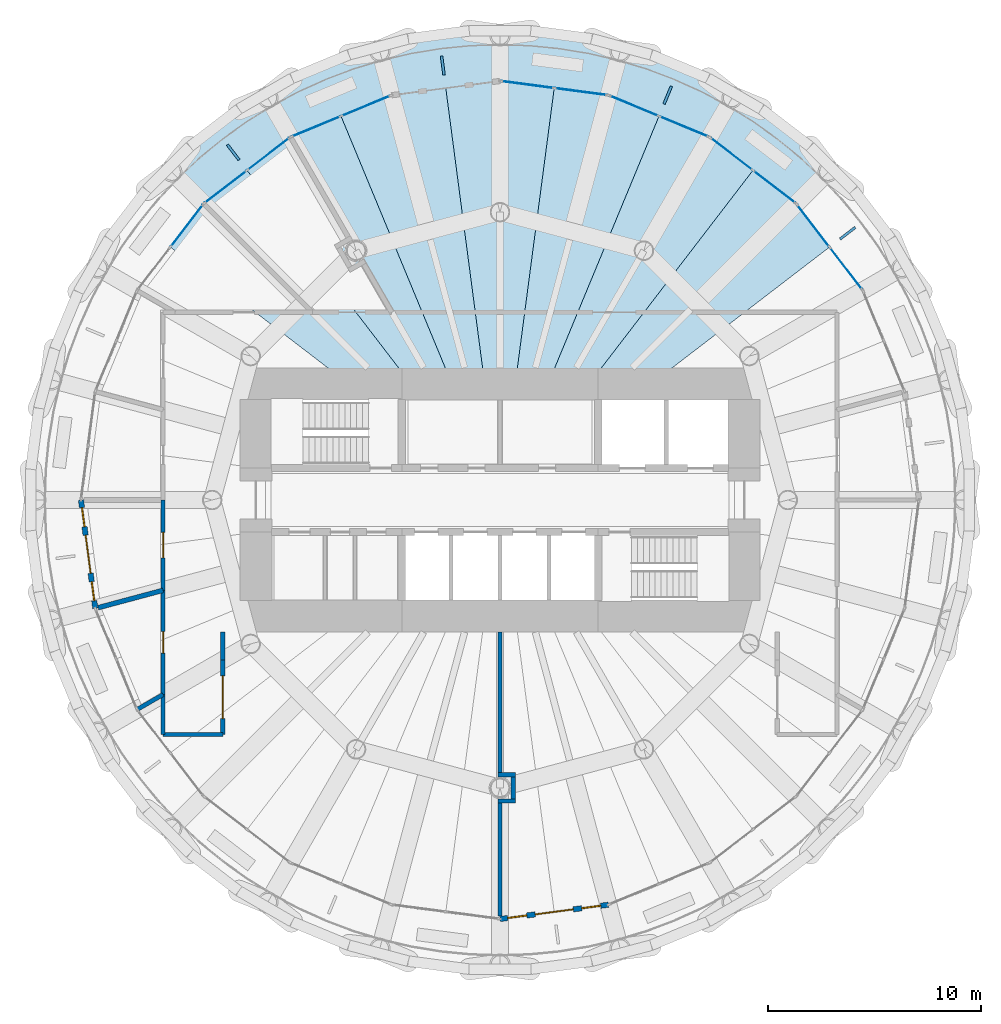
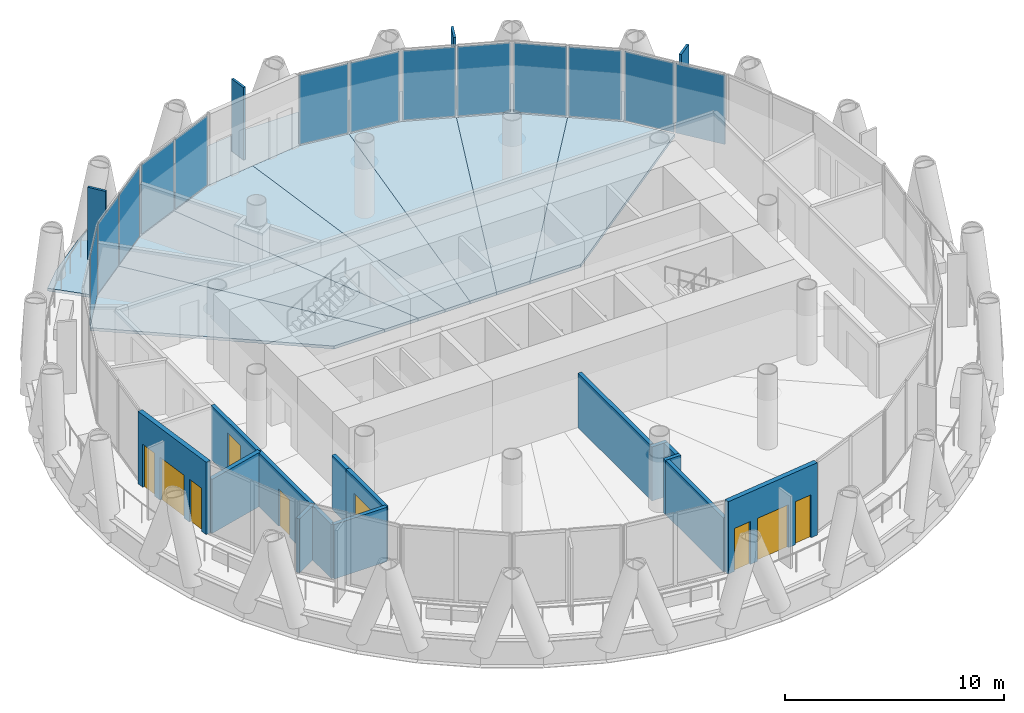
# One storey, part 8 of 15: 17 plates, 15 walls, 8 slabs, 5 doors, 4 windows, 9 openings, 7 elements without a shape of their own.
"""IFC4 building model written with IfcOpenShell, lengths in metres."""

from ifc_helpers import new_model, si_unit, direction, frame, frame_2d, origin, origin_2d, place, context, subcontext, project, spatial, polyline, rectangle, outline, extrude, material, layer, layer_set, type_object, element, fill, aggregate, save


model = new_model("IFC4")

# Units and contexts
model_context = context("Model", 3, precision=1e-05, world=origin(), true_north=direction((0.0, 1.0)))
body_context = subcontext(model_context, "Body", "Model", "MODEL_VIEW")
ifc_project = project(units=[si_unit("LENGTHUNIT", "METRE"), si_unit("AREAUNIT", "SQUARE_METRE"), si_unit("VOLUMEUNIT", "CUBIC_METRE"), si_unit("PLANEANGLEUNIT", "RADIAN"), si_unit("MASSUNIT", "GRAM", prefix="KILO")], contexts=[model_context])

# Site, building, storey
site_placement = place(None, origin())
site = spatial("IfcSite", under=ifc_project, at=site_placement, CompositionType="ELEMENT")
building_placement = place(site_placement, origin())
building = spatial("IfcBuilding", under=site, at=building_placement, Name="Qaws Media Tower", CompositionType="ELEMENT")
storey_placement = place(building_placement, frame((0.0, 0.0, 257.0)))
storey = spatial("IfcBuildingStorey", under=building, at=storey_placement, Name="L59", CompositionType="ELEMENT", Elevation=257.0)

# Slabs
ifc_material_1 = material(Name="Concrete C35/45", Category="concrete")
ifc_layer_1 = layer(ifc_material_1, 0.159912109375)
ifc_layer_set_1 = layer_set([ifc_layer_1], Name="Composite balcony slab 160")
slab_type_1 = type_object("IfcSlabType", Name="Composite balcony slab 160", PredefinedType="FLOOR", material=ifc_layer_set_1)
slab_1_placement = place(storey_placement, frame((0.0, 0.0, -0.159912109375)))
element("IfcSlab", 1, at=slab_1_placement, inside=storey, type_object=slab_type_1, Name="S2 balcony slab L59 R04 to R10, movement joints on R04 and R10", PredefinedType="FLOOR", context=body_context, shape_type="SweptSolid", body=[
    extrude(outline(polyline([(45.46142578125, 66.578125), (47.749755859375, 68.333984375), (50.24755859375, 69.77587890625), (52.912353515625, 70.8798828125), (55.6982421875, 71.626220703125), (58.557861328125, 72.002685546875), (61.442138671875, 72.002685546875), (64.3017578125, 71.626220703125), (67.087646484375, 70.8798828125), (69.75244140625, 69.77587890625), (72.250244140625, 68.333984375), (74.53857421875, 66.578125), (75.558349609375, 65.558349609375), (73.89453125, 63.89453125), (69.824951171875, 67.017333984375), (65.085693359375, 68.98046875), (60.0, 69.64990234375), (54.914306640625, 68.98046875), (50.175048828125, 67.017333984375), (46.10546875, 63.89453125), (44.441650390625, 65.558349609375), (45.46142578125, 66.578125)])), origin(), (0.0, 0.0, 1.0), 0.159912109375),
])
ifc_material_2 = material(Name="Concrete C35/45", Category="concrete")
ifc_layer_2 = layer(ifc_material_2, 0.159912109375)
ifc_layer_set_2 = layer_set([ifc_layer_2], Name="Composite floor slab 160")
slab_type_2 = type_object("IfcSlabType", Name="Composite floor slab 160", PredefinedType="FLOOR", material=ifc_layer_set_2)
slab_2_placement = place(storey_placement, frame((0.0, 0.0, -0.159912109375)))
element("IfcSlab", 2, at=slab_2_placement, inside=storey, type_object=slab_type_2, Name="S1 floor panel L59 on R04", PredefinedType="FLOOR", context=body_context, shape_type="SweptSolid", body=[
    extrude(outline(polyline([(73.89453125, 63.89453125), (75.4560546875, 61.85986328125), (66.51611328125, 55.0), (63.836669921875, 55.0), (71.85986328125, 65.4560546875), (73.89453125, 63.89453125)])), origin(), (0.0, 0.0, 1.0), 0.159912109375),
])
slab_3_placement = place(storey_placement, frame((0.0, 0.0, -0.159912109375)))
element("IfcSlab", 3, at=slab_3_placement, inside=storey, type_object=slab_type_2, Name="S1 floor panel L59 on R05", PredefinedType="FLOOR", context=body_context, shape_type="SweptSolid", body=[
    extrude(outline(polyline([(69.824951171875, 67.017333984375), (71.85986328125, 65.4560546875), (63.836669921875, 55.0), (62.071044921875, 55.0), (67.455322265625, 67.998779296875), (69.824951171875, 67.017333984375)])), origin(), (0.0, 0.0, 1.0), 0.159912109375),
])
slab_4_placement = place(storey_placement, frame((0.0, 0.0, -0.159912109375)))
element("IfcSlab", 4, at=slab_4_placement, inside=storey, type_object=slab_type_2, Name="S1 floor panel L59 on R06", PredefinedType="FLOOR", context=body_context, shape_type="SweptSolid", body=[
    extrude(outline(polyline([(65.085693359375, 68.98046875), (67.455322265625, 67.998779296875), (62.071044921875, 55.0), (60.658203125, 55.0), (62.54296875, 69.315185546875), (65.085693359375, 68.98046875)])), origin(), (0.0, 0.0, 1.0), 0.159912109375),
])
slab_5_placement = place(storey_placement, frame((0.0, 0.0, -0.159912109375)))
element("IfcSlab", 5, at=slab_5_placement, inside=storey, type_object=slab_type_2, Name="S1 floor panel L59 on R07", PredefinedType="FLOOR", context=body_context, shape_type="SweptSolid", body=[
    extrude(outline(polyline([(60.0, 69.64990234375), (62.54296875, 69.315185546875), (60.658203125, 55.0), (59.341796875, 55.0), (57.45703125, 69.315185546875), (60.0, 69.64990234375)])), origin(), (0.0, 0.0, 1.0), 0.159912109375),
])
slab_6_placement = place(storey_placement, frame((0.0, 0.0, -0.159912109375)))
element("IfcSlab", 6, at=slab_6_placement, inside=storey, type_object=slab_type_2, Name="S1 floor panel L59 on R08", PredefinedType="FLOOR", context=body_context, shape_type="SweptSolid", body=[
    extrude(outline(polyline([(54.914306640625, 68.98046875), (57.45703125, 69.315185546875), (59.341796875, 55.0), (57.928955078125, 55.0), (52.544677734375, 67.998779296875), (54.914306640625, 68.98046875)])), origin(), (0.0, 0.0, 1.0), 0.159912109375),
])
slab_7_placement = place(storey_placement, frame((0.0, 0.0, -0.159912109375)))
element("IfcSlab", 7, at=slab_7_placement, inside=storey, type_object=slab_type_2, Name="S1 floor panel L59 on R09", PredefinedType="FLOOR", context=body_context, shape_type="SweptSolid", body=[
    extrude(outline(polyline([(50.175048828125, 67.017333984375), (52.544677734375, 67.998779296875), (57.928955078125, 55.0), (56.163330078125, 55.0), (48.14013671875, 65.4560546875), (50.175048828125, 67.017333984375)])), origin(), (0.0, 0.0, 1.0), 0.159912109375),
])
slab_8_placement = place(storey_placement, frame((0.0, 0.0, -0.159912109375)))
element("IfcSlab", 8, at=slab_8_placement, inside=storey, type_object=slab_type_2, Name="S1 floor panel L59 on R10", PredefinedType="FLOOR", context=body_context, shape_type="SweptSolid", body=[
    extrude(outline(polyline([(46.10546875, 63.89453125), (48.14013671875, 65.4560546875), (56.163330078125, 55.0), (53.48388671875, 55.0), (44.5439453125, 61.85986328125), (46.10546875, 63.89453125)])), origin(), (0.0, 0.0, 1.0), 0.159912109375),
])

# Curtain wall, plates
ifc_material_3 = material(Name="Aluminium and clear glass", Category="aluminium")
curtain_wall_type = type_object("IfcCurtainWallType", Name="Unitised curtain wall CW-C", PredefinedType="NOTDEFINED", material=ifc_material_3)
curtain_wall_1_placement = place(storey_placement, origin())
curtain_wall_1 = element("IfcCurtainWall", 9, at=curtain_wall_1_placement, inside=storey, type_object=curtain_wall_type, Name="CWC curtain wall L59-03", PredefinedType="NOTDEFINED")
ifc_material_4 = material(Name="Clear laminated double glazing", Category="glass")
ifc_layer_3 = layer(ifc_material_4, 0.031982421875)
ifc_layer_set_3 = layer_set([ifc_layer_3], Name="Curtain wall glass unit 32")
plate_type_1 = type_object("IfcPlateType", Name="Curtain wall glass unit 32", PredefinedType="CURTAIN_PANEL", material=ifc_layer_set_3)
plate_1_placement = place(storey_placement, frame((76.224609375, 60.8583984375, 0.080078125), z_axis=(0.0, 0.0, 1.0), x_axis=(-0.608761460662, 0.793353316003, 0.0)))
plate_1 = element("IfcPlate", 10, at=plate_1_placement, type_object=plate_type_1, Name="CWC panel 1.1", PredefinedType="CURTAIN_PANEL", context=body_context, shape_type="SweptSolid", body=[
    extrude(rectangle(XDim=2.44482421875, YDim=0.031982421875, at=origin_2d()), origin(), (0.0, 0.0, 1.0), 3.8798828125),
])
plate_2_placement = place(storey_placement, frame((74.6875, 62.861328125, 0.080078125), z_axis=(0.0, 0.0, 1.0), x_axis=(-0.608761460662, 0.793353316003, 0.0)))
plate_2 = element("IfcPlate", 11, at=plate_2_placement, type_object=plate_type_1, Name="CWC panel 2.1", PredefinedType="CURTAIN_PANEL", context=body_context, shape_type="SweptSolid", body=[
    extrude(rectangle(XDim=2.44482421875, YDim=0.031982421875, at=origin_2d()), origin(), (0.0, 0.0, 1.0), 3.8798828125),
])
aggregate(curtain_wall_1, [plate_1, plate_2])

curtain_wall_2_placement = place(storey_placement, origin())
curtain_wall_2 = element("IfcCurtainWall", 12, at=curtain_wall_2_placement, inside=storey, type_object=curtain_wall_type, Name="CWC curtain wall L59-04", PredefinedType="NOTDEFINED")
plate_3_placement = place(storey_placement, frame((72.861328125, 64.6875, 0.080078125), z_axis=(0.0, 0.0, 1.0), x_axis=(-0.793353316003, 0.608761460662, 0.0)))
plate_3 = element("IfcPlate", 13, at=plate_3_placement, type_object=plate_type_1, Name="CWC panel 1.1", PredefinedType="CURTAIN_PANEL", context=body_context, shape_type="SweptSolid", body=[
    extrude(rectangle(XDim=2.44482421875, YDim=0.031982421875, at=origin_2d()), origin(), (0.0, 0.0, 1.0), 3.8798828125),
])
plate_4_placement = place(storey_placement, frame((70.8583984375, 66.224609375, 0.080078125), z_axis=(0.0, 0.0, 1.0), x_axis=(-0.793353316003, 0.608761460662, 0.0)))
plate_4 = element("IfcPlate", 14, at=plate_4_placement, type_object=plate_type_1, Name="CWC panel 2.1", PredefinedType="CURTAIN_PANEL", context=body_context, shape_type="SweptSolid", body=[
    extrude(rectangle(XDim=2.44482421875, YDim=0.031982421875, at=origin_2d()), origin(), (0.0, 0.0, 1.0), 3.8798828125),
])
aggregate(curtain_wall_2, [plate_3, plate_4])

curtain_wall_3_placement = place(storey_placement, origin())
curtain_wall_3 = element("IfcCurtainWall", 15, at=curtain_wall_3_placement, inside=storey, type_object=curtain_wall_type, Name="CWC curtain wall L59-05", PredefinedType="NOTDEFINED")
plate_5_placement = place(storey_placement, frame((68.621826171875, 67.515869140625, 0.080078125), z_axis=(0.0, 0.0, 1.0), x_axis=(-0.923879560089, 0.382683365786, 0.0)))
plate_5 = element("IfcPlate", 16, at=plate_5_placement, type_object=plate_type_1, Name="CWC panel 1.1", PredefinedType="CURTAIN_PANEL", context=body_context, shape_type="SweptSolid", body=[
    extrude(rectangle(XDim=2.44482421875, YDim=0.031982421875, at=origin_2d()), origin(), (0.0, 0.0, 1.0), 3.8798828125),
])
plate_6_placement = place(storey_placement, frame((66.2890625, 68.48193359375, 0.080078125), z_axis=(0.0, 0.0, 1.0), x_axis=(-0.923879560089, 0.382683365786, 0.0)))
plate_6 = element("IfcPlate", 17, at=plate_6_placement, type_object=plate_type_1, Name="CWC panel 2.1", PredefinedType="CURTAIN_PANEL", context=body_context, shape_type="SweptSolid", body=[
    extrude(rectangle(XDim=2.44482421875, YDim=0.031982421875, at=origin_2d()), origin(), (0.0, 0.0, 1.0), 3.8798828125),
])
aggregate(curtain_wall_3, [plate_5, plate_6])

curtain_wall_4_placement = place(storey_placement, origin())
curtain_wall_4 = element("IfcCurtainWall", 18, at=curtain_wall_4_placement, inside=storey, type_object=curtain_wall_type, Name="CWC curtain wall L59-06", PredefinedType="NOTDEFINED")
plate_7_placement = place(storey_placement, frame((63.79443359375, 69.150390625, 0.080078125), z_axis=(0.0, 0.0, 1.0), x_axis=(-0.991444848313, 0.130526291424, 0.0)))
plate_7 = element("IfcPlate", 19, at=plate_7_placement, type_object=plate_type_1, Name="CWC panel 1.1", PredefinedType="CURTAIN_PANEL", context=body_context, shape_type="SweptSolid", body=[
    extrude(rectangle(XDim=2.44482421875, YDim=0.031982421875, at=origin_2d()), origin(), (0.0, 0.0, 1.0), 3.8798828125),
])
plate_8_placement = place(storey_placement, frame((61.291259765625, 69.47998046875, 0.080078125), z_axis=(0.0, 0.0, 1.0), x_axis=(-0.991444848313, 0.130526291424, 0.0)))
plate_8 = element("IfcPlate", 20, at=plate_8_placement, type_object=plate_type_1, Name="CWC panel 2.1", PredefinedType="CURTAIN_PANEL", context=body_context, shape_type="SweptSolid", body=[
    extrude(rectangle(XDim=2.44482421875, YDim=0.031982421875, at=origin_2d()), origin(), (0.0, 0.0, 1.0), 3.8798828125),
])
aggregate(curtain_wall_4, [plate_7, plate_8])

curtain_wall_5_placement = place(storey_placement, origin())
curtain_wall_5 = element("IfcCurtainWall", 21, at=curtain_wall_5_placement, inside=storey, type_object=curtain_wall_type, Name="CWC curtain wall L59-08", PredefinedType="NOTDEFINED")
plate_9_placement = place(storey_placement, frame((53.7109375, 68.48193359375, 0.080078125), z_axis=(0.0, 0.0, 1.0), x_axis=(-0.923879560089, -0.382683365786, 0.0)))
plate_9 = element("IfcPlate", 22, at=plate_9_placement, type_object=plate_type_1, Name="CWC panel 1.1", PredefinedType="CURTAIN_PANEL", context=body_context, shape_type="SweptSolid", body=[
    extrude(rectangle(XDim=2.44482421875, YDim=0.031982421875, at=origin_2d()), origin(), (0.0, 0.0, 1.0), 3.8798828125),
])
plate_10_placement = place(storey_placement, frame((51.378173828125, 67.515869140625, 0.080078125), z_axis=(0.0, 0.0, 1.0), x_axis=(-0.923879560089, -0.382683365786, 0.0)))
plate_10 = element("IfcPlate", 23, at=plate_10_placement, type_object=plate_type_1, Name="CWC panel 2.1", PredefinedType="CURTAIN_PANEL", context=body_context, shape_type="SweptSolid", body=[
    extrude(rectangle(XDim=2.44482421875, YDim=0.031982421875, at=origin_2d()), origin(), (0.0, 0.0, 1.0), 3.8798828125),
])
aggregate(curtain_wall_5, [plate_9, plate_10])

curtain_wall_6_placement = place(storey_placement, origin())
curtain_wall_6 = element("IfcCurtainWall", 24, at=curtain_wall_6_placement, inside=storey, type_object=curtain_wall_type, Name="CWC curtain wall L59-09", PredefinedType="NOTDEFINED")
plate_11_placement = place(storey_placement, frame((49.1416015625, 66.224609375, 0.080078125), z_axis=(0.0, 0.0, 1.0), x_axis=(-0.793353316003, -0.608761460662, 0.0)))
plate_11 = element("IfcPlate", 25, at=plate_11_placement, type_object=plate_type_1, Name="CWC panel 1.1", PredefinedType="CURTAIN_PANEL", context=body_context, shape_type="SweptSolid", body=[
    extrude(rectangle(XDim=2.44482421875, YDim=0.031982421875, at=origin_2d()), origin(), (0.0, 0.0, 1.0), 3.8798828125),
])
plate_12_placement = place(storey_placement, frame((47.138671875, 64.6875, 0.080078125), z_axis=(0.0, 0.0, 1.0), x_axis=(-0.793353316003, -0.608761460662, 0.0)))
plate_12 = element("IfcPlate", 26, at=plate_12_placement, type_object=plate_type_1, Name="CWC panel 2.1", PredefinedType="CURTAIN_PANEL", context=body_context, shape_type="SweptSolid", body=[
    extrude(rectangle(XDim=2.44482421875, YDim=0.031982421875, at=origin_2d()), origin(), (0.0, 0.0, 1.0), 3.8798828125),
])
aggregate(curtain_wall_6, [plate_11, plate_12])

# Curtain wall, plate
curtain_wall_7_placement = place(storey_placement, origin())
curtain_wall_7 = element("IfcCurtainWall", 27, at=curtain_wall_7_placement, inside=storey, type_object=curtain_wall_type, Name="CWC curtain wall L59-10", PredefinedType="NOTDEFINED")
plate_13_placement = place(storey_placement, frame((45.3125, 62.861328125, 0.080078125), z_axis=(0.0, 0.0, 1.0), x_axis=(-0.608761460662, -0.793353316003, 0.0)))
plate_13 = element("IfcPlate", 28, at=plate_13_placement, type_object=plate_type_1, Name="CWC panel 1.1", PredefinedType="CURTAIN_PANEL", context=body_context, shape_type="SweptSolid", body=[
    extrude(rectangle(XDim=2.44482421875, YDim=0.031982421875, at=origin_2d()), origin(), (0.0, 0.0, 1.0), 3.8798828125),
])
aggregate(curtain_wall_7, [plate_13])

# Plates
ifc_material_5 = material(Name="Precast concrete screen fin", Category="concrete")
ifc_layer_4 = layer(ifc_material_5, 0.1201171875)
ifc_layer_set_4 = layer_set([ifc_layer_4], Name="Screen fin 120x900")
plate_type_2 = type_object("IfcPlateType", Name="Screen fin 120x900", PredefinedType="USERDEFINED", material=ifc_layer_set_4)
for number, where, z_axis, x_axis, name in (
    (29, (76.303466796875, 62.510009765625, 0.0), (0.0, 0.0, 1.0), (0.793353340291, 0.608761429009, 0.0), "SCR1 screen fin L59-02"),
    (30, (67.8642578125, 68.98583984375, 0.0), (0.0, 0.0, 1.0), (0.382683432365, 0.923879532511, 0.0), "SCR1 screen fin L59-03"),
    (31, (57.317626953125, 70.374267578125, 0.0), (0.0, 0.0, 1.0), (-0.13052619222, 0.991444861374, 0.0), "SCR1 screen fin L59-04"),
    (32, (47.489990234375, 66.303466796875, 0.0), (0.0, 0.0, 1.0), (-0.608761429009, 0.793353340291, 0.0), "SCR1 screen fin L59-05"),
):
    element("IfcPlate", number, at=place(storey_placement, frame(where, z_axis=z_axis, x_axis=x_axis)), inside=storey, type_object=plate_type_2, Name=name, ObjectType="SCREEN", PredefinedType="USERDEFINED", context=body_context, shape_type="SweptSolid", body=[
        extrude(rectangle(XDim=0.89990234375, YDim=0.1201171875, at=origin_2d()), origin(), (0.0, 0.0, 1.0), 4.0400390625),
    ])

# Wall
ifc_material_6 = material(Name="Twin metal stud frames, two layers gypsum board each side, insulated, Rw 55", Category="gypsum")
ifc_layer_5 = layer(ifc_material_6, 0.22509765625)
ifc_layer_set_5 = layer_set([ifc_layer_5], Name="Acoustic twin-stud partition 225 Rw 55")
wall_type_1 = type_object("IfcWallType", Name="Acoustic twin-stud partition 225 Rw 55", PredefinedType="PARTITIONING", material=ifc_layer_set_5)
wall_1_placement = place(storey_placement, frame((44.197509765625, 45.765625, 0.0), z_axis=(0.0, 0.0, 1.0), x_axis=(-0.965934560174, -0.258786447599, 0.0)))
element("IfcWall", 33, at=wall_1_placement, inside=storey, type_object=wall_type_1, Name="W097 IW6 partition L59", PredefinedType="PARTITIONING", context=body_context, shape_type="SweptSolid", body=[
    extrude(rectangle(XDim=3.150146484375, YDim=0.22509765625, at=frame_2d((1.5751953125, 0.0))), origin(), (0.0, 0.0, 1.0), 3.02001953125),
])

# Wall, openings, door, windows
ifc_material_7 = material(Name="Precast concrete, exposed finish", Category="concrete")
ifc_layer_6 = layer(ifc_material_7, 0.25)
ifc_layer_set_6 = layer_set([ifc_layer_6], Name="Balcony door wall 250")
wall_type_2 = type_object("IfcWallType", Name="Balcony door wall 250", PredefinedType="SOLIDWALL", material=ifc_layer_set_6)
wall_2_placement = place(storey_placement, frame((40.35009765625, 50.0, 0.0), z_axis=(0.0, 0.0, 1.0), x_axis=(0.130504990773, -0.991447652367, 0.0)))
wall_2 = element("IfcWall", 34, at=wall_2_placement, inside=storey, type_object=wall_type_2, Name="W272 EW1 balcony door wall L59-13", PredefinedType="SOLIDWALL", context=body_context, shape_type="SweptSolid", body=[
    extrude(rectangle(XDim=5.129638671875, YDim=0.25, at=frame_2d((2.56494140625, 0.0))), origin(), (0.0, 0.0, 1.0), 4.0400390625),
])
opening_1_placement = place(wall_2_placement, frame((1.664794921875, 0.0, 0.0)))
opening_1 = element("IfcOpeningElement", 35, at=opening_1_placement, cuts=wall_2, Name="Opening D7", PredefinedType="OPENING", context=body_context, shape_type="SweptSolid", body=[
    extrude(rectangle(XDim=1.800048828125, YDim=2.39990234375, at=frame_2d((0.89990234375, 1.199951171875))), frame((0.0, 0.135009765625, 0.0), z_axis=(0.0, -1.0, 0.0), x_axis=(1.0, 0.0, 0.0)), (0.0, 0.0, 1.0), 0.27001953125),
])
opening_2_placement = place(wall_2_placement, frame((0.36474609375, 0.0, 0.0)))
opening_2 = element("IfcOpeningElement", 36, at=opening_2_placement, cuts=wall_2, Name="Opening W7", PredefinedType="OPENING", context=body_context, shape_type="SweptSolid", body=[
    extrude(rectangle(XDim=0.89990234375, YDim=2.39990234375, at=frame_2d((0.449951171875, 1.199951171875))), frame((0.0, 0.135009765625, 0.0), z_axis=(0.0, -1.0, 0.0), x_axis=(1.0, 0.0, 0.0)), (0.0, 0.0, 1.0), 0.27001953125),
])
opening_3_placement = place(wall_2_placement, frame((3.86474609375, 0.0, 0.0)))
opening_3 = element("IfcOpeningElement", 37, at=opening_3_placement, cuts=wall_2, Name="Opening W7", PredefinedType="OPENING", context=body_context, shape_type="SweptSolid", body=[
    extrude(rectangle(XDim=0.89990234375, YDim=2.39990234375, at=frame_2d((0.449951171875, 1.199951171875))), frame((0.0, 0.135009765625, 0.0), z_axis=(0.0, -1.0, 0.0), x_axis=(1.0, 0.0, 0.0)), (0.0, 0.0, 1.0), 0.27001953125),
])
ifc_material_8 = material(Name="Aluminium and clear glass", Category="aluminium")
door_type_1 = type_object("IfcDoorType", Name="Balcony door pair 1800", OperationType="DOUBLE_DOOR_SLIDING", PredefinedType="DOOR", material=ifc_material_8)
door_1_placement = place(opening_1_placement, origin())
door_1 = element("IfcDoor", 38, at=door_1_placement, inside=storey, type_object=door_type_1, Name="D7 balcony door L59-13 in wall W272", OperationType="DOUBLE_DOOR_SLIDING", OverallHeight=2.39990234375, OverallWidth=1.800048828125, PredefinedType="DOOR", context=body_context, shape_type="SweptSolid", body=[
    extrude(rectangle(XDim=1.800048828125, YDim=2.39990234375, at=frame_2d((0.89990234375, 1.199951171875))), frame((0.0, 0.02490234375, 0.0), z_axis=(0.0, -1.0, 0.0), x_axis=(1.0, 0.0, 0.0)), (0.0, 0.0, 1.0), 0.050048828125),
])
fill(opening_1, door_1)
ifc_material_9 = material(Name="Aluminium and clear glass", Category="aluminium")
window_type = type_object("IfcWindowType", Name="Balcony side window 900", PartitioningType="SINGLE_PANEL", PredefinedType="WINDOW", material=ifc_material_9)
window_1_placement = place(opening_2_placement, origin())
window_1 = element("IfcWindow", 39, at=window_1_placement, inside=storey, type_object=window_type, Name="W1 balcony side light L59-13L", OverallHeight=2.39990234375, OverallWidth=0.89990234375, PartitioningType="SINGLE_PANEL", PredefinedType="WINDOW", context=body_context, shape_type="SweptSolid", body=[
    extrude(rectangle(XDim=0.89990234375, YDim=2.39990234375, at=frame_2d((0.449951171875, 1.199951171875))), frame((0.0, 0.030029296875, 0.0), z_axis=(0.0, -1.0, 0.0), x_axis=(1.0, 0.0, 0.0)), (0.0, 0.0, 1.0), 0.06005859375),
])
fill(opening_2, window_1)
window_2_placement = place(opening_3_placement, origin())
window_2 = element("IfcWindow", 40, at=window_2_placement, inside=storey, type_object=window_type, Name="W1 balcony side light L59-13R", OverallHeight=2.39990234375, OverallWidth=0.89990234375, PartitioningType="SINGLE_PANEL", PredefinedType="WINDOW", context=body_context, shape_type="SweptSolid", body=[
    extrude(rectangle(XDim=0.89990234375, YDim=2.39990234375, at=frame_2d((0.449951171875, 1.199951171875))), frame((0.0, 0.030029296875, 0.0), z_axis=(0.0, -1.0, 0.0), x_axis=(1.0, 0.0, 0.0)), (0.0, 0.0, 1.0), 0.06005859375),
])
fill(opening_3, window_2)

wall_3_placement = place(storey_placement, frame((60.0, 30.35009765625, 0.0), z_axis=(0.0, 0.0, 1.0), x_axis=(0.991447652367, 0.130504990773, 0.0)))
wall_3 = element("IfcWall", 41, at=wall_3_placement, inside=storey, type_object=wall_type_2, Name="W273 EW1 balcony door wall L59-19", PredefinedType="SOLIDWALL", context=body_context, shape_type="SweptSolid", body=[
    extrude(rectangle(XDim=5.129638671875, YDim=0.25, at=frame_2d((2.56494140625, 0.0))), origin(), (0.0, 0.0, 1.0), 4.0400390625),
])
opening_4_placement = place(wall_3_placement, frame((1.664794921875, 0.0, 0.0)))
opening_4 = element("IfcOpeningElement", 42, at=opening_4_placement, cuts=wall_3, Name="Opening D7", PredefinedType="OPENING", context=body_context, shape_type="SweptSolid", body=[
    extrude(rectangle(XDim=1.800048828125, YDim=2.39990234375, at=frame_2d((0.89990234375, 1.199951171875))), frame((0.0, 0.135009765625, 0.0), z_axis=(0.0, -1.0, 0.0), x_axis=(1.0, 0.0, 0.0)), (0.0, 0.0, 1.0), 0.27001953125),
])
opening_5_placement = place(wall_3_placement, frame((0.36474609375, 0.0, 0.0)))
opening_5 = element("IfcOpeningElement", 43, at=opening_5_placement, cuts=wall_3, Name="Opening W7", PredefinedType="OPENING", context=body_context, shape_type="SweptSolid", body=[
    extrude(rectangle(XDim=0.89990234375, YDim=2.39990234375, at=frame_2d((0.449951171875, 1.199951171875))), frame((0.0, 0.135009765625, 0.0), z_axis=(0.0, -1.0, 0.0), x_axis=(1.0, 0.0, 0.0)), (0.0, 0.0, 1.0), 0.27001953125),
])
opening_6_placement = place(wall_3_placement, frame((3.86474609375, 0.0, 0.0)))
opening_6 = element("IfcOpeningElement", 44, at=opening_6_placement, cuts=wall_3, Name="Opening W7", PredefinedType="OPENING", context=body_context, shape_type="SweptSolid", body=[
    extrude(rectangle(XDim=0.89990234375, YDim=2.39990234375, at=frame_2d((0.449951171875, 1.199951171875))), frame((0.0, 0.135009765625, 0.0), z_axis=(0.0, -1.0, 0.0), x_axis=(1.0, 0.0, 0.0)), (0.0, 0.0, 1.0), 0.27001953125),
])
door_2_placement = place(opening_4_placement, origin())
door_2 = element("IfcDoor", 45, at=door_2_placement, inside=storey, type_object=door_type_1, Name="D7 balcony door L59-19 in wall W273", OperationType="DOUBLE_DOOR_SLIDING", OverallHeight=2.39990234375, OverallWidth=1.800048828125, PredefinedType="DOOR", context=body_context, shape_type="SweptSolid", body=[
    extrude(rectangle(XDim=1.800048828125, YDim=2.39990234375, at=frame_2d((0.89990234375, 1.199951171875))), frame((0.0, 0.02490234375, 0.0), z_axis=(0.0, -1.0, 0.0), x_axis=(1.0, 0.0, 0.0)), (0.0, 0.0, 1.0), 0.050048828125),
])
fill(opening_4, door_2)
window_3_placement = place(opening_5_placement, origin())
window_3 = element("IfcWindow", 46, at=window_3_placement, inside=storey, type_object=window_type, Name="W1 balcony side light L59-19L", OverallHeight=2.39990234375, OverallWidth=0.89990234375, PartitioningType="SINGLE_PANEL", PredefinedType="WINDOW", context=body_context, shape_type="SweptSolid", body=[
    extrude(rectangle(XDim=0.89990234375, YDim=2.39990234375, at=frame_2d((0.449951171875, 1.199951171875))), frame((0.0, 0.030029296875, 0.0), z_axis=(0.0, -1.0, 0.0), x_axis=(1.0, 0.0, 0.0)), (0.0, 0.0, 1.0), 0.06005859375),
])
fill(opening_5, window_3)
window_4_placement = place(opening_6_placement, origin())
window_4 = element("IfcWindow", 47, at=window_4_placement, inside=storey, type_object=window_type, Name="W1 balcony side light L59-19R", OverallHeight=2.39990234375, OverallWidth=0.89990234375, PartitioningType="SINGLE_PANEL", PredefinedType="WINDOW", context=body_context, shape_type="SweptSolid", body=[
    extrude(rectangle(XDim=0.89990234375, YDim=2.39990234375, at=frame_2d((0.449951171875, 1.199951171875))), frame((0.0, 0.030029296875, 0.0), z_axis=(0.0, -1.0, 0.0), x_axis=(1.0, 0.0, 0.0)), (0.0, 0.0, 1.0), 0.06005859375),
])
fill(opening_6, window_4)

# Wall
ifc_material_10 = material(Name="Gypsum board on galvanised metal studs, acoustic double stud, deflection head", Category="gypsum")
ifc_layer_7 = layer(ifc_material_10, 0.199951171875)
ifc_layer_set_7 = layer_set([ifc_layer_7], Name="Room partition 200")
wall_type_3 = type_object("IfcWallType", Name="Room partition 200", PredefinedType="PARTITIONING", material=ifc_layer_set_7)
wall_4_placement = place(storey_placement, frame((47.0, 43.800048828125, 0.0), z_axis=(0.0, 0.0, 1.0), x_axis=(0.0, -1.0, 0.0)))
element("IfcWall", 48, at=wall_4_placement, inside=storey, type_object=wall_type_3, Name="W1600 IW3 partition L59", PredefinedType="PARTITIONING", context=body_context, shape_type="SweptSolid", body=[
    extrude(rectangle(XDim=1.3056640625, YDim=0.199951171875, at=frame_2d((0.65283203125, 0.0))), origin(), (0.0, 0.0, 1.0), 3.02001953125),
])

# Wall, opening, door
wall_5_placement = place(storey_placement, frame((47.0, 42.494384765625, 0.0), z_axis=(0.0, 0.0, 1.0), x_axis=(0.0, -1.0, 0.0)))
wall_5 = element("IfcWall", 49, at=wall_5_placement, inside=storey, type_object=wall_type_3, Name="W1599 IW3 partition L59", PredefinedType="PARTITIONING", context=body_context, shape_type="SweptSolid", body=[
    extrude(rectangle(XDim=3.494384765625, YDim=0.199951171875, at=frame_2d((1.7470703125, 0.0))), origin(), (0.0, 0.0, 1.0), 3.02001953125),
])
opening_7_placement = place(wall_5_placement, frame((0.747314453125, 0.0, 0.0)))
opening_7 = element("IfcOpeningElement", 50, at=opening_7_placement, cuts=wall_5, Name="Opening D6", PredefinedType="OPENING", context=body_context, shape_type="SweptSolid", body=[
    extrude(rectangle(XDim=2.0, YDim=2.10009765625, at=frame_2d((1.0, 1.050048828125))), frame((0.0, 0.10986328125, 0.0), z_axis=(0.0, -1.0, 0.0), x_axis=(1.0, 0.0, 0.0)), (0.0, 0.0, 1.0), 0.219970703125),
])
ifc_material_11 = material(Name="Steel, acoustic, fire rated", Category="steel")
door_type_2 = type_object("IfcDoorType", Name="Room door pair 2000", OperationType="DOUBLE_DOOR_DOUBLE_SWING", PredefinedType="DOOR", material=ifc_material_11)
door_3_placement = place(opening_7_placement, origin())
door_3 = element("IfcDoor", 51, at=door_3_placement, inside=storey, type_object=door_type_2, Name="D6 Bureau newsroom door L59 in wall W1599", OperationType="DOUBLE_DOOR_DOUBLE_SWING", OverallHeight=2.10009765625, OverallWidth=2.0, PredefinedType="DOOR", context=body_context, shape_type="SweptSolid", body=[
    extrude(rectangle(XDim=2.0, YDim=2.10009765625, at=frame_2d((1.0, 1.050048828125))), frame((0.0, 0.02490234375, 0.0), z_axis=(0.0, -1.0, 0.0), x_axis=(1.0, 0.0, 0.0)), (0.0, 0.0, 1.0), 0.050048828125),
])
fill(opening_7, door_3)

# Walls
wall_6_placement = place(storey_placement, frame((47.0, 39.0, 0.0), z_axis=(0.0, 0.0, 1.0), x_axis=(-1.0, 0.0, 0.0)))
element("IfcWall", 52, at=wall_6_placement, inside=storey, type_object=wall_type_3, Name="W1222 IW3 partition L59", PredefinedType="PARTITIONING", context=body_context, shape_type="SweptSolid", body=[
    extrude(rectangle(XDim=2.800048828125, YDim=0.199951171875, at=frame_2d((1.39990234375, 0.0))), origin(), (0.0, 0.0, 1.0), 3.0400390625),
])
wall_7_placement = place(storey_placement, frame((44.199951171875, 39.0, 0.0), z_axis=(0.0, 0.0, 1.0), x_axis=(0.0, 1.0, 0.0)))
element("IfcWall", 53, at=wall_7_placement, inside=storey, type_object=wall_type_3, Name="W1610 IW3 partition L59", PredefinedType="PARTITIONING", context=body_context, shape_type="SweptSolid", body=[
    extrude(rectangle(XDim=1.8779296875, YDim=0.199951171875, at=frame_2d((0.93896484375, 0.0))), origin(), (0.0, 0.0, 1.0), 3.02001953125),
])

# Wall, opening, door
wall_8_placement = place(storey_placement, frame((44.199951171875, 40.8779296875, 0.0), z_axis=(0.0, 0.0, 1.0), x_axis=(0.0, 1.0, 0.0)))
wall_8 = element("IfcWall", 54, at=wall_8_placement, inside=storey, type_object=wall_type_3, Name="W1645 IW3 partition L59", PredefinedType="PARTITIONING", context=body_context, shape_type="SweptSolid", body=[
    extrude(rectangle(XDim=4.888427734375, YDim=0.199951171875, at=frame_2d((2.4443359375, 0.0))), origin(), (0.0, 0.0, 1.0), 3.02001953125),
])
opening_8_placement = place(wall_8_placement, frame((1.9443359375, 0.0, 0.0)))
opening_8 = element("IfcOpeningElement", 55, at=opening_8_placement, cuts=wall_8, Name="Opening D5", PredefinedType="OPENING", context=body_context, shape_type="SweptSolid", body=[
    extrude(rectangle(XDim=1.0, YDim=2.10009765625, at=frame_2d((0.5, 1.050048828125))), frame((0.0, 0.10986328125, 0.0), z_axis=(0.0, -1.0, 0.0), x_axis=(1.0, 0.0, 0.0)), (0.0, 0.0, 1.0), 0.219970703125),
])
ifc_material_12 = material(Name="Timber veneered, acoustic seal", Category="wood")
door_type_3 = type_object("IfcDoorType", Name="Room door 1000", OperationType="SINGLE_SWING_LEFT", PredefinedType="DOOR", material=ifc_material_12)
door_4_placement = place(opening_8_placement, origin())
door_4 = element("IfcDoor", 56, at=door_4_placement, inside=storey, type_object=door_type_3, Name="D5 Edit room door L59 in wall W1645", OperationType="SINGLE_SWING_LEFT", OverallHeight=2.10009765625, OverallWidth=1.0, PredefinedType="DOOR", context=body_context, shape_type="SweptSolid", body=[
    extrude(rectangle(XDim=1.0, YDim=2.10009765625, at=frame_2d((0.5, 1.050048828125))), frame((0.0, 0.02490234375, 0.0), z_axis=(0.0, -1.0, 0.0), x_axis=(1.0, 0.0, 0.0)), (0.0, 0.0, 1.0), 0.050048828125),
])
fill(opening_8, door_4)

wall_9_placement = place(storey_placement, frame((44.199951171875, 45.766357421875, 0.0), z_axis=(0.0, 0.0, 1.0), x_axis=(0.0, 1.0, 0.0)))
wall_9 = element("IfcWall", 57, at=wall_9_placement, inside=storey, type_object=wall_type_3, Name="W1646 IW3 partition L59", PredefinedType="PARTITIONING", context=body_context, shape_type="SweptSolid", body=[
    extrude(rectangle(XDim=4.233642578125, YDim=0.199951171875, at=frame_2d((2.11669921875, 0.0))), origin(), (0.0, 0.0, 1.0), 3.02001953125),
])
opening_9_placement = place(wall_9_placement, frame((1.516845703125, 0.0, 0.0)))
opening_9 = element("IfcOpeningElement", 58, at=opening_9_placement, cuts=wall_9, Name="Opening D14", PredefinedType="OPENING", context=body_context, shape_type="SweptSolid", body=[
    extrude(rectangle(XDim=1.199951171875, YDim=2.39990234375, at=frame_2d((0.60009765625, 1.199951171875))), frame((0.0, 0.10986328125, 0.0), z_axis=(0.0, -1.0, 0.0), x_axis=(1.0, 0.0, 0.0)), (0.0, 0.0, 1.0), 0.219970703125),
])
ifc_material_13 = material(Name="Steel acoustic door set, Rw 45", Category="steel")
door_type_4 = type_object("IfcDoorType", Name="Acoustic door 1200x2400 Rw 45", OperationType="SINGLE_SWING_LEFT", PredefinedType="DOOR", material=ifc_material_13)
door_5_placement = place(opening_9_placement, origin())
door_5 = element("IfcDoor", 59, at=door_5_placement, inside=storey, type_object=door_type_4, Name="D14 Broadcast booth door L59 in wall W1646", OperationType="SINGLE_SWING_LEFT", OverallHeight=2.39990234375, OverallWidth=1.199951171875, PredefinedType="DOOR", context=body_context, shape_type="SweptSolid", body=[
    extrude(rectangle(XDim=1.199951171875, YDim=2.39990234375, at=frame_2d((0.60009765625, 1.199951171875))), frame((0.0, 0.02490234375, 0.0), z_axis=(0.0, -1.0, 0.0), x_axis=(1.0, 0.0, 0.0)), (0.0, 0.0, 1.0), 0.050048828125),
])
fill(opening_9, door_5)

# Walls
wall_10_placement = place(storey_placement, frame((44.20361328125, 40.8798828125, 0.0), z_axis=(0.0, 0.0, 1.0), x_axis=(-0.86609656662, -0.499876722092, 0.0)))
element("IfcWall", 60, at=wall_10_placement, inside=storey, type_object=wall_type_3, Name="W1701 IW3 partition L59", PredefinedType="PARTITIONING", context=body_context, shape_type="SweptSolid", body=[
    extrude(rectangle(XDim=1.369873046875, YDim=0.199951171875, at=frame_2d((0.68505859375, 0.0))), origin(), (0.0, 0.0, 1.0), 3.02001953125),
])
for number, where, z_axis, x_axis, name in (
    (61, (59.89990234375, 37.116943359375, 0.0), (0.0, 0.0, 1.0), (1.0, 0.0, 0.0), "W1572 IW3 partition return L59"),
    (62, (59.89990234375, 35.883056640625, 0.0), (0.0, 0.0, 1.0), (1.0, 0.0, 0.0), "W1571 IW3 partition return L59"),
):
    element("IfcWall", number, at=place(storey_placement, frame(where, z_axis=z_axis, x_axis=x_axis)), inside=storey, type_object=wall_type_3, Name=name, PredefinedType="PARTITIONING", context=body_context, shape_type="SweptSolid", body=[
        extrude(rectangle(XDim=0.8271484375, YDim=0.199951171875, at=frame_2d((0.41357421875, 0.0))), origin(), (0.0, 0.0, 1.0), 3.02001953125),
    ])
wall_11_placement = place(storey_placement, frame((60.626953125, 37.01708984375, 0.0), z_axis=(0.0, 0.0, 1.0), x_axis=(0.0, -1.0, 0.0)))
element("IfcWall", 63, at=wall_11_placement, inside=storey, type_object=wall_type_3, Name="W1575 IW3 partition return L59", PredefinedType="PARTITIONING", context=body_context, shape_type="SweptSolid", body=[
    extrude(rectangle(XDim=1.0341796875, YDim=0.199951171875, at=frame_2d((0.51708984375, 0.0))), origin(), (0.0, 0.0, 1.0), 3.02001953125),
])
wall_12_placement = place(storey_placement, frame((60.0, 43.800048828125, 0.0), z_axis=(0.0, 0.0, 1.0), x_axis=(0.0, -1.0, 0.0)))
element("IfcWall", 64, at=wall_12_placement, inside=storey, type_object=wall_type_3, Name="W1540 IW3 partition L59", PredefinedType="PARTITIONING", context=body_context, shape_type="SweptSolid", body=[
    extrude(rectangle(XDim=6.5830078125, YDim=0.199951171875, at=frame_2d((3.29150390625, 0.0))), origin(), (0.0, 0.0, 1.0), 3.0400390625),
])
wall_13_placement = place(storey_placement, frame((60.0, 35.782958984375, 0.0), z_axis=(0.0, 0.0, 1.0), x_axis=(0.0, -1.0, 0.0)))
element("IfcWall", 65, at=wall_13_placement, inside=storey, type_object=wall_type_3, Name="W1703 IW3 partition L59", PredefinedType="PARTITIONING", context=body_context, shape_type="SweptSolid", body=[
    extrude(rectangle(XDim=5.29296875, YDim=0.199951171875, at=frame_2d((2.646484375, 0.0))), origin(), (0.0, 0.0, 1.0), 3.02001953125),
])

save(model, "model.ifc")
